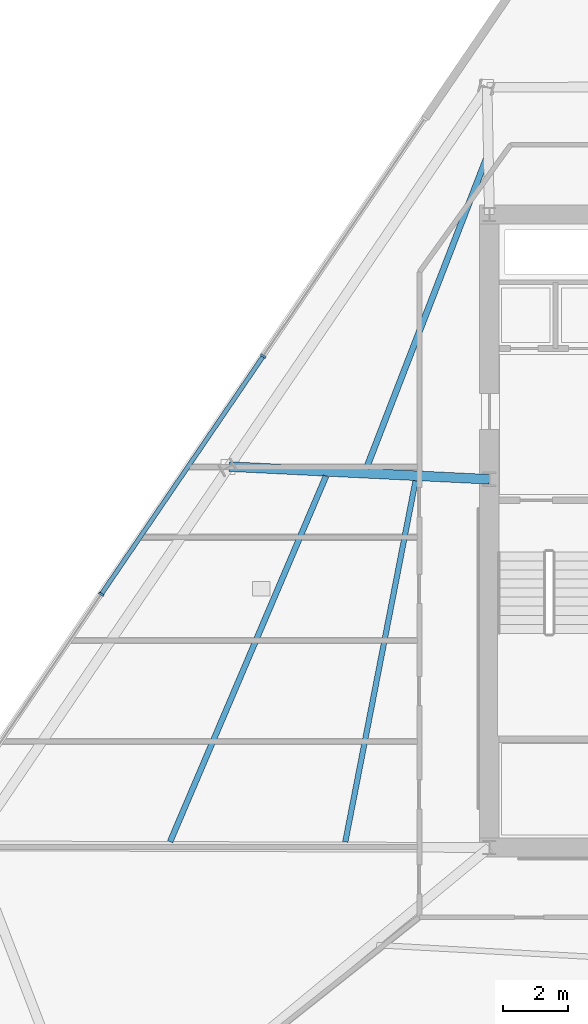
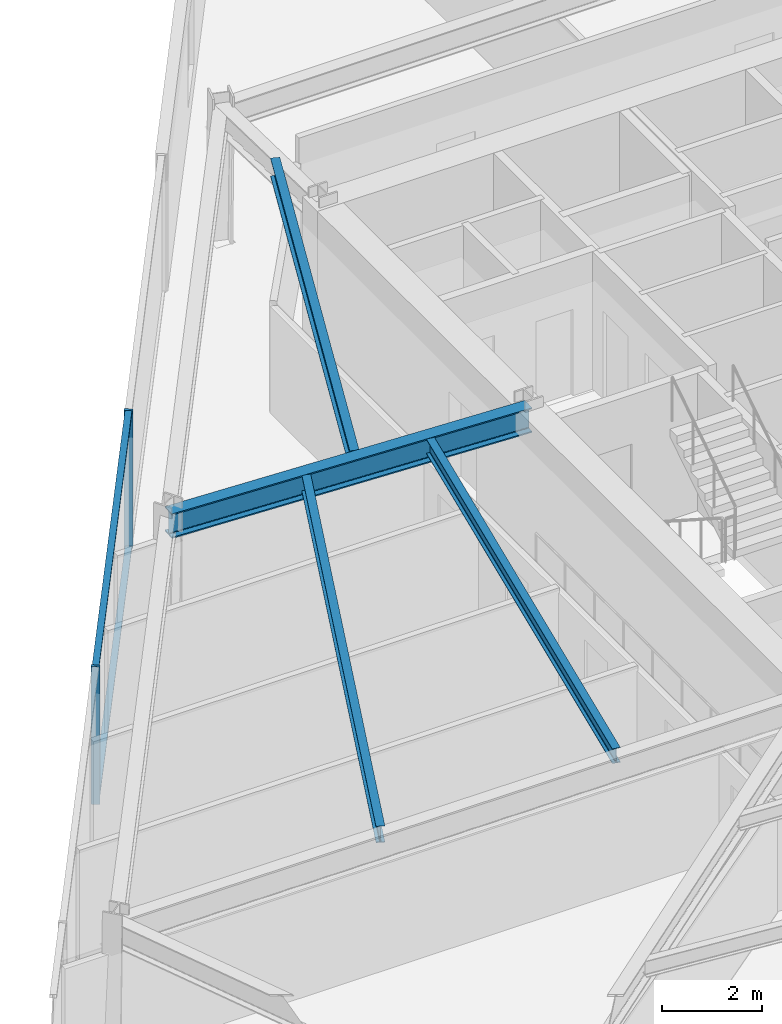
# One storey, part 4 of 18: 4 beams, 4 members, 1 element without a shape of its own.
"""IFC4 building model written with IfcOpenShell, lengths in metres."""

import ifcopenshell
import ifcopenshell.guid

model = None  # the IFC model being written
_history = None  # IfcOwnerHistory: only IFC2X3 demands one
_inside = {}  # id of a spatial element -> (the spatial element, [elements in it])
_under = {}  # id of a project, library or spatial element -> (it, [spatial elements below it])
_declared = {}  # id of a project -> (the project, [libraries it declares])
_typed = {}  # id of a type object -> (the type object, [elements of that type])
_made_of = {}  # id of a material, layer set ... -> (it, [elements and type objects made of it])


def new_model(schema):
    """Start an empty IFC model of exactly this schema.

    Asked for "IFC4X3", IfcOpenShell would pick the latest addendum, in which some entities
    have other attributes; the version numbers below select the first issue.
    IFC2X3 requires an IfcOwnerHistory on every rooted entity: one is made here for all.
    """
    global model, _history
    if schema == "IFC4X3":
        model = ifcopenshell.file(schema_version=(4, 3, 0, 0))
    else:
        model = ifcopenshell.file(schema=schema)
    _inside.clear()
    _under.clear()
    _declared.clear()
    _typed.clear()
    _made_of.clear()
    _history = None
    if model.schema == "IFC2X3":
        org = make("IfcOrganization", Name="unknown")
        user = make(
            "IfcPersonAndOrganization",
            ThePerson=make("IfcPerson", FamilyName="unknown"),
            TheOrganization=org,
        )
        app = make(
            "IfcApplication",
            ApplicationDeveloper=org,
            Version="unknown",
            ApplicationFullName="unknown",
            ApplicationIdentifier="unknown",
        )
        _history = make(
            "IfcOwnerHistory",
            OwningUser=user,
            OwningApplication=app,
            ChangeAction="ADDED",
            CreationDate=0,
        )
    return model


def make(cls, **values):
    """One entity of the class cls with the attributes given. An attribute that is None is left unset."""
    return model.create_entity(
        cls, **{name: value for name, value in values.items() if value is not None}
    )


def rooted(cls, **values):
    """An entity with a GlobalId (a new one), such as an element, a storey or a relation."""
    return make(cls, GlobalId=ifcopenshell.guid.new(), OwnerHistory=_history, **values)


def si_unit(unit_type, name, prefix=None):
    """IfcSIUnit, for example si_unit("LENGTHUNIT", "METRE", prefix="MILLI")."""
    return make("IfcSIUnit", UnitType=unit_type, Prefix=prefix, Name=name)


def assignment(units):
    """IfcUnitAssignment: the units of a project."""
    return None if units is None else make("IfcUnitAssignment", Units=units)


def point(xyz):
    """IfcCartesianPoint."""
    return None if xyz is None else make("IfcCartesianPoint", Coordinates=xyz)


def direction(xyz):
    """IfcDirection."""
    return None if xyz is None else make("IfcDirection", DirectionRatios=xyz)


def frame(location, z_axis=None, x_axis=None):
    """IfcAxis2Placement3D, a coordinate frame: its origin and axes. An axis left out is left unset."""
    return make(
        "IfcAxis2Placement3D",
        Location=point(location),
        Axis=direction(z_axis),
        RefDirection=direction(x_axis),
    )


def frame_2d(location, x_axis=None):
    """IfcAxis2Placement2D, a coordinate frame in the plane: its origin and x axis."""
    return make(
        "IfcAxis2Placement2D", Location=point(location), RefDirection=direction(x_axis)
    )


def origin():
    """The frame at (0, 0, 0) with its axes left unset."""
    return frame((0.0, 0.0, 0.0))


def origin_2d():
    """The frame at (0, 0) in the plane with its x axis left unset."""
    return frame_2d((0.0, 0.0))


def place(relative_to, where):
    """IfcLocalPlacement: puts the frame where relative to a parent placement (None: the world)."""
    return make(
        "IfcLocalPlacement", PlacementRelTo=relative_to, RelativePlacement=where
    )


def context(
    kind, dimensions, precision=None, world=None, true_north=None, identifier=None
):
    """IfcGeometricRepresentationContext, for example the 3D "Model" context."""
    return make(
        "IfcGeometricRepresentationContext",
        ContextIdentifier=identifier,
        ContextType=kind,
        CoordinateSpaceDimension=dimensions,
        Precision=precision,
        WorldCoordinateSystem=world,
        TrueNorth=true_north,
    )


def subcontext(parent, identifier, kind, view, scale=None):
    """IfcGeometricRepresentationSubContext, for example "Body" below "Model"."""
    return make(
        "IfcGeometricRepresentationSubContext",
        ContextIdentifier=identifier,
        ContextType=kind,
        ParentContext=parent,
        TargetScale=scale,
        TargetView=view,
    )


def project(units=None, contexts=None):
    """IfcProject with its units and contexts."""
    return rooted(
        "IfcProject",
        Name="project",
        RepresentationContexts=contexts,
        UnitsInContext=assignment(units),
    )


def spatial(cls, under=None, at=None, **own):
    """A site, building, storey or space (cls), placed at a placement, below another one or the project."""
    s = rooted(cls, ObjectPlacement=at, **own)
    if under is not None:
        _under.setdefault(under.id(), (under, []))[1].append(s)
    return s


def profile(cls, at=None, kind="AREA", **sizes):
    """A parametric profile (cls). Its sizes go by their IFC names, for example OverallWidth=200.0."""
    return make(cls, ProfileType=kind, Position=at, **sizes)


def rectangle(**sizes):
    """IfcRectangleProfileDef."""
    return profile("IfcRectangleProfileDef", **sizes)


def i_section(**sizes):
    """IfcIShapeProfileDef."""
    return profile("IfcIShapeProfileDef", **sizes)


def extrude(swept, where, along, depth):
    """IfcExtrudedAreaSolid: the profile swept, set in the frame where, extruded along a direction by depth."""
    return make(
        "IfcExtrudedAreaSolid",
        SweptArea=swept,
        Position=where,
        ExtrudedDirection=direction(along),
        Depth=depth,
    )


def shape(context_of_items, identifier, shape_type, items):
    """IfcShapeRepresentation: the items that make up one representation, for example the "Body"."""
    return make(
        "IfcShapeRepresentation",
        ContextOfItems=context_of_items,
        RepresentationIdentifier=identifier,
        RepresentationType=shape_type,
        Items=items,
    )


def material(Name=None, Category=None):
    """IfcMaterial."""
    return make("IfcMaterial", Name=Name, Category=Category)


def material_profile(
    of_material, cross_section, Name=None, Category=None, Priority=None
):
    """IfcMaterialProfile: a cross section and its material."""
    return make(
        "IfcMaterialProfile",
        Name=Name,
        Material=of_material,
        Profile=cross_section,
        Priority=Priority,
        Category=Category,
    )


def profile_set(profiles, Name=None, composite=None):
    """IfcMaterialProfileSet."""
    return make(
        "IfcMaterialProfileSet",
        Name=Name,
        MaterialProfiles=profiles,
        CompositeProfile=composite,
    )


def made_of(thing, what):
    """Note that an element or type object is made of a material, layer set ...; save() writes the relation."""
    if what is not None:
        _made_of.setdefault(what.id(), (what, []))[1].append(thing)
    return thing


def type_object(cls, material=None, **own):
    """A type object (cls), such as IfcWallType, which elements share."""
    return made_of(rooted(cls, **own), material)


def element(
    cls,
    number,
    at=None,
    inside=None,
    cuts=None,
    type_object=None,
    material=None,
    context=None,
    identifier="Body",
    shape_type=None,
    held_by="IfcProductDefinitionShape",
    body=None,
    shapes=None,
    **own,
):
    """One element of the class cls, such as IfcWall. Its Tag is "e" and its number.

    at: its placement. inside: the storey or other place that contains it. cuts: it is an
    opening in that element (IfcRelVoidsElement). A single representation is given by context,
    identifier, shape_type and body (its items); several are given by shapes. held_by: the class
    of the entity that holds the representations. save() writes the other relations.
    """
    e = rooted(cls, Tag="e%d" % number, ObjectPlacement=at, **own)
    if body is not None:
        shapes = [shape(context, identifier, shape_type, body)]
    if shapes is not None:
        e.Representation = make(held_by, Representations=shapes)
    if inside is not None:
        _inside.setdefault(inside.id(), (inside, []))[1].append(e)
    if cuts is not None:
        rooted(
            "IfcRelVoidsElement", RelatingBuildingElement=cuts, RelatedOpeningElement=e
        )
    if type_object is not None:
        _typed.setdefault(type_object.id(), (type_object, []))[1].append(e)
    return made_of(e, material)


def aggregate(whole, parts):
    """IfcRelAggregates: a whole, such as a stair, and the parts it consists of."""
    return rooted("IfcRelAggregates", RelatingObject=whole, RelatedObjects=parts)


def save(model, path):
    """Write the relations noted so far, then the file.

    IfcRelAggregates (storeys below a building ...), IfcRelContainedInSpatialStructure (elements
    in a storey), IfcRelDefinesByType, IfcRelAssociatesMaterial and IfcRelDeclares: one each for
    every whole, place, type object, material and project.
    """
    for whole, parts in _under.values():
        aggregate(whole, parts)
    for where, things in _inside.values():
        rooted(
            "IfcRelContainedInSpatialStructure",
            RelatedElements=things,
            RelatingStructure=where,
        )
    for kind, things in _typed.values():
        rooted("IfcRelDefinesByType", RelatedObjects=things, RelatingType=kind)
    for what, things in _made_of.values():
        rooted("IfcRelAssociatesMaterial", RelatedObjects=things, RelatingMaterial=what)
    for by, libraries in _declared.values():
        rooted("IfcRelDeclares", RelatingContext=by, RelatedDefinitions=libraries)
    model.write(path)


model = new_model("IFC4")

# Units and contexts
model_context = context("Model", 3, precision=1e-05, world=origin(), true_north=direction((0.0, 1.0)))
body_context = subcontext(model_context, "Body", "Model", "MODEL_VIEW")
ifc_project = project(units=[si_unit("LENGTHUNIT", "METRE"), si_unit("AREAUNIT", "SQUARE_METRE"), si_unit("VOLUMEUNIT", "CUBIC_METRE"), si_unit("PLANEANGLEUNIT", "RADIAN"), si_unit("MASSUNIT", "GRAM", prefix="KILO")], contexts=[model_context])

# Site, building, storey
site_placement = place(None, origin())
site = spatial("IfcSite", under=ifc_project, at=site_placement, CompositionType="ELEMENT")
building_placement = place(site_placement, origin())
building = spatial("IfcBuilding", under=site, at=building_placement, Name="Savorim Split Tower", CompositionType="ELEMENT")
storey_placement = place(building_placement, frame((0.0, 0.0, 48.0)))
storey = spatial("IfcBuildingStorey", under=building, at=storey_placement, Name="L12", CompositionType="ELEMENT", Elevation=48.0)

# Beams
ifc_material_1 = material(Name="Steel S355", Category="steel")
ifc_material_profile_1 = material_profile(ifc_material_1, i_section(OverallWidth=0.169921875, OverallDepth=0.360107421875, WebThickness=0.008056640625, FlangeThickness=0.0126953125, FilletRadius=0.01806640625, at=origin_2d()), Name="IPE 360")
ifc_profile_set_1 = profile_set([ifc_material_profile_1], Name="Steel S355")
beam_type_1 = type_object("IfcBeamType", Name="BM-JST-IPE360", PredefinedType="JOIST", material=ifc_profile_set_1)
beam_1_placement = place(storey_placement, frame((-9.987060546875, 1.953369140625, 3.169921875), z_axis=(-0.190998725287, -0.98159028466, 0.0), x_axis=(0.98159028466, -0.190998725287, 0.0)))
element("IfcBeam", 1, at=beam_1_placement, inside=storey, type_object=beam_type_1, Name="L12 Secondary Floor Joist JS-11", PredefinedType="JOIST", context=body_context, shape_type="SweptSolid", body=[
    extrude(i_section(OverallWidth=0.169921875, OverallDepth=0.360107421875, WebThickness=0.008056640625, FlangeThickness=0.0126953125, FilletRadius=0.01806640625, at=origin_2d()), origin(), (0.0, 0.0, 1.0), 11.3916015625),
])
ifc_material_profile_2 = material_profile(ifc_material_1, i_section(OverallWidth=0.179931640625, OverallDepth=0.39990234375, WebThickness=0.008544921875, FlangeThickness=0.013427734375, FilletRadius=0.02099609375, at=origin_2d()), Name="IPE 400")
ifc_profile_set_2 = profile_set([ifc_material_profile_2], Name="Steel S355")
beam_type_2 = type_object("IfcBeamType", Name="BM-JST-IPE400", PredefinedType="JOIST", material=ifc_profile_set_2)
beam_2_placement = place(storey_placement, frame((-12.759521484375, 2.097412109375, 3.14990234375), z_axis=(-0.392309548235, -0.919833255739, 0.0), x_axis=(0.919833255739, -0.392309548235, 0.0)))
element("IfcBeam", 2, at=beam_2_placement, inside=storey, type_object=beam_type_2, Name="L12 Secondary Floor Joist JS-10", PredefinedType="JOIST", context=body_context, shape_type="SweptSolid", body=[
    extrude(i_section(OverallWidth=0.179931640625, OverallDepth=0.39990234375, WebThickness=0.008544921875, FlangeThickness=0.013427734375, FilletRadius=0.02099609375, at=origin_2d()), origin(), (0.0, 0.0, 1.0), 12.30517578125),
])
ifc_material_profile_3 = material_profile(ifc_material_1, i_section(OverallWidth=0.18994140625, OverallDepth=0.449951171875, WebThickness=0.009521484375, FlangeThickness=0.0146484375, FilletRadius=0.02099609375, at=origin_2d()), Name="IPE 450")
ifc_profile_set_3 = profile_set([ifc_material_profile_3], Name="Steel S355")
beam_type_3 = type_object("IfcBeamType", Name="BM-JST-IPE450", PredefinedType="JOIST", material=ifc_profile_set_3)
beam_3_placement = place(storey_placement, frame((-7.79150390625, 11.94091796875, 3.125), z_axis=(-0.361153062922, -0.932506549651, 0.0), x_axis=(0.932506549651, -0.361153062922, 0.0)))
element("IfcBeam", 3, at=beam_3_placement, inside=storey, type_object=beam_type_3, Name="L12 Secondary Floor Joist JS-09", PredefinedType="JOIST", context=body_context, shape_type="SweptSolid", body=[
    extrude(i_section(OverallWidth=0.18994140625, OverallDepth=0.449951171875, WebThickness=0.009521484375, FlangeThickness=0.0146484375, FilletRadius=0.02099609375, at=origin_2d()), origin(), (0.0, 0.0, 1.0), 10.297607421875),
])
ifc_material_profile_4 = material_profile(ifc_material_1, i_section(OverallWidth=0.300048828125, OverallDepth=0.60009765625, WebThickness=0.015380859375, FlangeThickness=0.030029296875, FilletRadius=0.027099609375, at=origin_2d()), Name="HEB 600")
ifc_profile_set_4 = profile_set([ifc_material_profile_4], Name="Steel S355")
beam_type_4 = type_object("IfcBeamType", Name="BM-PRI-HEB600", PredefinedType="BEAM", material=ifc_profile_set_4)
beam_4_placement = place(storey_placement, frame((-15.759033203125, 2.394287109375, 3.050048828125), z_axis=(0.99880533755, -0.048866119968, 0.0), x_axis=(0.048866119968, 0.99880533755, 0.0)))
element("IfcBeam", 4, at=beam_4_placement, inside=storey, type_object=beam_type_4, Name="L12 Primary Floor Girder RG-09", PredefinedType="BEAM", context=body_context, shape_type="SweptSolid", body=[
    extrude(i_section(OverallWidth=0.300048828125, OverallDepth=0.60009765625, WebThickness=0.015380859375, FlangeThickness=0.030029296875, FilletRadius=0.027099609375, at=origin_2d()), origin(), (0.0, 0.0, 1.0), 8.068603515625),
])

# Curtain wall, members
ifc_material_2 = material(Name="Dark Ceramic-Fritted Insulated Glass", Category="glass")
curtain_wall_type = type_object("IfcCurtainWallType", Name="CW-TWR-FRIT-A", PredefinedType="NOTDEFINED", material=ifc_material_2)
curtain_wall_placement = place(storey_placement, origin())
curtain_wall = element("IfcCurtainWall", 5, at=curtain_wall_placement, inside=storey, type_object=curtain_wall_type, Name="L12 Curtain Wall CW-L12-WEST", PredefinedType="NOTDEFINED")
ifc_material_3 = material(Name="Charcoal Anodised Aluminium", Category="aluminium")
ifc_material_profile_5 = material_profile(ifc_material_3, rectangle(XDim=0.179931640625, YDim=0.06494140625, at=origin_2d()), Name="ALU-M 180x65")
ifc_profile_set_5 = profile_set([ifc_material_profile_5], Name="Charcoal Anodised Aluminium")
member_type_1 = type_object("IfcMemberType", Name="CWM-180x65", PredefinedType="MULLION", material=ifc_profile_set_5)
member_1_placement = place(storey_placement, frame((-14.700927734375, 5.81591796875, 0.0), z_axis=(0.0, 0.0, 1.0), x_axis=(0.826820923165, -0.562465253164, 0.0)))
member_1 = element("IfcMember", 6, at=member_1_placement, type_object=member_type_1, Name="CW-02 mullion 2", PredefinedType="MULLION", context=body_context, shape_type="SweptSolid", body=[
    extrude(rectangle(XDim=0.179931640625, YDim=0.06494140625, at=origin_2d()), origin(), (0.0, 0.0, 1.0), 3.35009765625),
])
member_2_placement = place(storey_placement, frame((-19.718017578125, -1.55908203125, 0.0), z_axis=(0.0, 0.0, 1.0), x_axis=(0.826820923165, -0.562465253164, 0.0)))
member_2 = element("IfcMember", 7, at=member_2_placement, type_object=member_type_1, Name="CW-02 mullion 3", PredefinedType="MULLION", context=body_context, shape_type="SweptSolid", body=[
    extrude(rectangle(XDim=0.179931640625, YDim=0.06494140625, at=origin_2d()), origin(), (0.0, 0.0, 1.0), 3.35009765625),
])
ifc_material_profile_6 = material_profile(ifc_material_3, rectangle(XDim=0.139892578125, YDim=0.054931640625, at=origin_2d()), Name="ALU-T 140x55")
ifc_profile_set_6 = profile_set([ifc_material_profile_6], Name="Charcoal Anodised Aluminium")
member_type_2 = type_object("IfcMemberType", Name="CWT-140x55", PredefinedType="USERDEFINED", material=ifc_profile_set_6)
member_3_placement = place(storey_placement, frame((-14.71923828125, 5.7890625, 0.027587890625), z_axis=(-0.562463858464, -0.826821871942, 0.0), x_axis=(0.826821871942, -0.562463858464, 0.0)))
member_3 = element("IfcMember", 8, at=member_3_placement, type_object=member_type_2, Name="CW-02 transom 2.1", ObjectType="TRANSOM", PredefinedType="USERDEFINED", context=body_context, shape_type="SweptSolid", body=[
    extrude(rectangle(XDim=0.139892578125, YDim=0.054931640625, at=origin_2d()), origin(), (0.0, 0.0, 1.0), 8.854736328125),
])
member_4_placement = place(storey_placement, frame((-14.71923828125, 5.7890625, 3.322509765625), z_axis=(-0.562463858464, -0.826821871942, 0.0), x_axis=(0.826821871942, -0.562463858464, 0.0)))
member_4 = element("IfcMember", 9, at=member_4_placement, type_object=member_type_2, Name="CW-02 transom 2.2", ObjectType="TRANSOM", PredefinedType="USERDEFINED", context=body_context, shape_type="SweptSolid", body=[
    extrude(rectangle(XDim=0.139892578125, YDim=0.054931640625, at=origin_2d()), origin(), (0.0, 0.0, 1.0), 8.854736328125),
])
aggregate(curtain_wall, [member_1, member_2, member_3, member_4])

save(model, "model.ifc")
